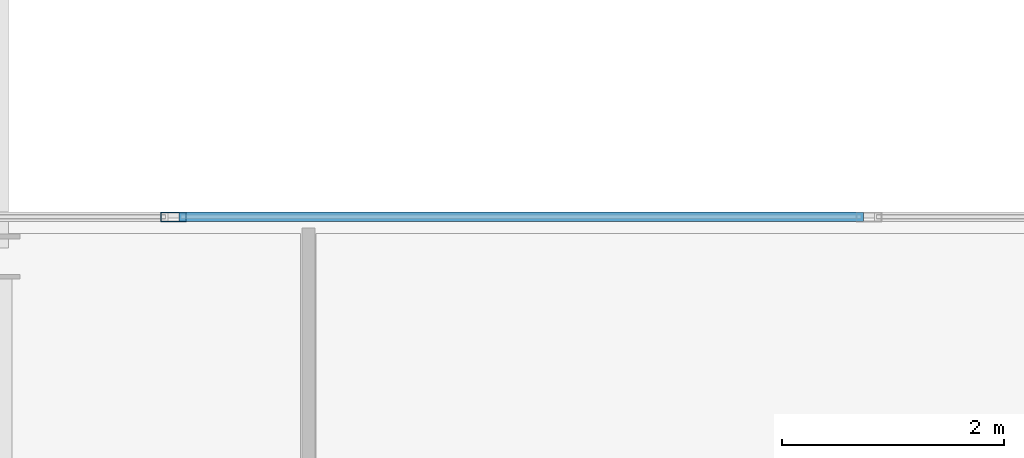
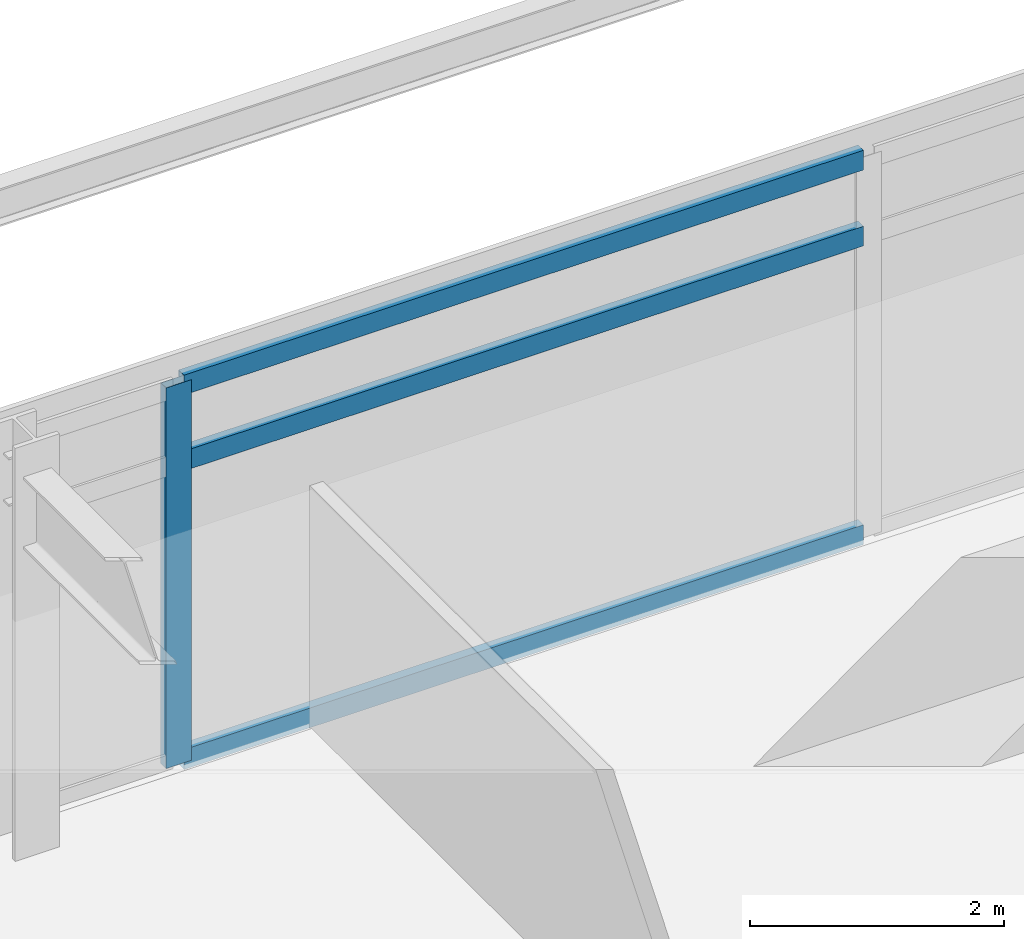
# One storey, part 7 of 22: 4 members, 1 element without a shape of its own.
"""IFC4 building model written with IfcOpenShell, lengths in metres."""

from ifc_helpers import new_model, si_unit, direction, frame, origin, origin_2d, place, context, subcontext, project, spatial, hollow_rectangle, extrude, material, material_profile, profile_set, type_object, element, aggregate, save


model = new_model("IFC4")

# Units and contexts
model_context = context("Model", 3, precision=1e-05, world=origin(), true_north=direction((0.0, 1.0)))
body_context = subcontext(model_context, "Body", "Model", "MODEL_VIEW")
ifc_project = project(units=[si_unit("LENGTHUNIT", "METRE"), si_unit("AREAUNIT", "SQUARE_METRE"), si_unit("VOLUMEUNIT", "CUBIC_METRE"), si_unit("PLANEANGLEUNIT", "RADIAN"), si_unit("MASSUNIT", "GRAM", prefix="KILO")], contexts=[model_context])

# Site, building, storey
site_placement = place(None, origin())
site = spatial("IfcSite", under=ifc_project, at=site_placement, CompositionType="ELEMENT")
building_placement = place(site_placement, origin())
building = spatial("IfcBuilding", under=site, at=building_placement, Name="Kovane Verandah Tower", CompositionType="ELEMENT")
storey_placement = place(building_placement, frame((0.0, 0.0, 229.199951171875)))
storey = spatial("IfcBuildingStorey", under=building, at=storey_placement, Name="L53", CompositionType="ELEMENT", Elevation=229.199951171875)

# Curtain wall, members
ifc_material_1 = material(Name="Champagne Anodised Aluminium Frame with Low-E Clear Laminated Glass", Category="aluminium")
curtain_wall_type = type_object("IfcCurtainWallType", Name="CW-SYS-03-MID", PredefinedType="NOTDEFINED", material=ifc_material_1)
curtain_wall_placement = place(storey_placement, origin())
curtain_wall = element("IfcCurtainWall", 1, at=curtain_wall_placement, inside=storey, type_object=curtain_wall_type, Name="L53 N Unitised Curtain Wall", PredefinedType="NOTDEFINED")
ifc_material_2 = material(Name="Champagne Anodised Aluminium 6063-T6", Category="aluminium")
ifc_material_profile_1 = material_profile(ifc_material_2, hollow_rectangle(XDim=0.0849609375, YDim=0.22998046875, WallThickness=0.00390625, at=origin_2d()), Name="AL85x230x4")
ifc_profile_set_1 = profile_set([ifc_material_profile_1], Name="Champagne Anodised Aluminium 6063-T6")
member_type_1 = type_object("IfcMemberType", Name="CW-MUL-85x230", PredefinedType="MULLION", material=ifc_profile_set_1)
member_1_placement = place(storey_placement, frame((30.584716796875, 49.860107421875, 0.02001953125), z_axis=(0.0, 0.0, 1.0), x_axis=(0.0, 1.0, 0.0)))
member_1 = element("IfcMember", 2, at=member_1_placement, type_object=member_type_1, Name="L53 N Unitised Curtain Wall Mullion 6", PredefinedType="MULLION", context=body_context, shape_type="SweptSolid", body=[
    extrude(hollow_rectangle(XDim=0.0849609375, YDim=0.22998046875, WallThickness=0.00390625, at=origin_2d()), origin(), (0.0, 0.0, 1.0), 3.659912109375),
])
ifc_material_profile_2 = material_profile(ifc_material_2, hollow_rectangle(XDim=0.0849609375, YDim=0.18994140625, WallThickness=0.00390625, at=origin_2d()), Name="AL85x190x4")
ifc_profile_set_2 = profile_set([ifc_material_profile_2], Name="Champagne Anodised Aluminium 6063-T6")
member_type_2 = type_object("IfcMemberType", Name="CW-TRN-85x190", PredefinedType="USERDEFINED", material=ifc_profile_set_2)
member_2_placement = place(storey_placement, frame((36.8115234375, 49.860107421875, 0.050048828125), z_axis=(-1.0, 0.0, 0.0), x_axis=(0.0, -1.0, 0.0)))
member_2 = element("IfcMember", 3, at=member_2_placement, type_object=member_type_2, Name="L53 N Unitised Curtain Wall Transom TB Bay 5", ObjectType="TRANSOM", PredefinedType="USERDEFINED", context=body_context, shape_type="SweptSolid", body=[
    extrude(hollow_rectangle(XDim=0.0849609375, YDim=0.18994140625, WallThickness=0.00390625, at=origin_2d()), origin(), (0.0, 0.0, 1.0), 6.177001953125),
])
member_3_placement = place(storey_placement, frame((36.8115234375, 49.860107421875, 2.920166015625), z_axis=(-1.0, 0.0, 0.0), x_axis=(0.0, -1.0, 0.0)))
member_3 = element("IfcMember", 4, at=member_3_placement, type_object=member_type_2, Name="L53 N Unitised Curtain Wall Transom TM Bay 5", ObjectType="TRANSOM", PredefinedType="USERDEFINED", context=body_context, shape_type="SweptSolid", body=[
    extrude(hollow_rectangle(XDim=0.0849609375, YDim=0.18994140625, WallThickness=0.00390625, at=origin_2d()), origin(), (0.0, 0.0, 1.0), 6.177001953125),
])
member_4_placement = place(storey_placement, frame((36.8115234375, 49.860107421875, 3.650146484375), z_axis=(-1.0, 0.0, 0.0), x_axis=(0.0, -1.0, 0.0)))
member_4 = element("IfcMember", 5, at=member_4_placement, type_object=member_type_2, Name="L53 N Unitised Curtain Wall Transom TT Bay 5", ObjectType="TRANSOM", PredefinedType="USERDEFINED", context=body_context, shape_type="SweptSolid", body=[
    extrude(hollow_rectangle(XDim=0.0849609375, YDim=0.18994140625, WallThickness=0.00390625, at=origin_2d()), origin(), (0.0, 0.0, 1.0), 6.177001953125),
])
aggregate(curtain_wall, [member_1, member_2, member_3, member_4])

save(model, "model.ifc")
